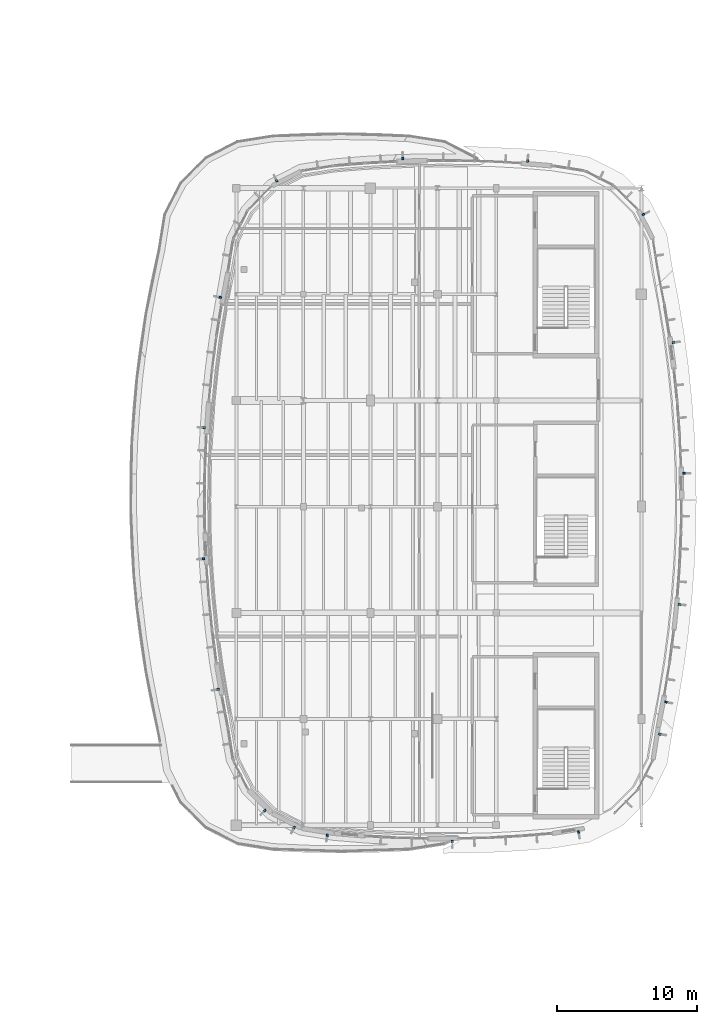
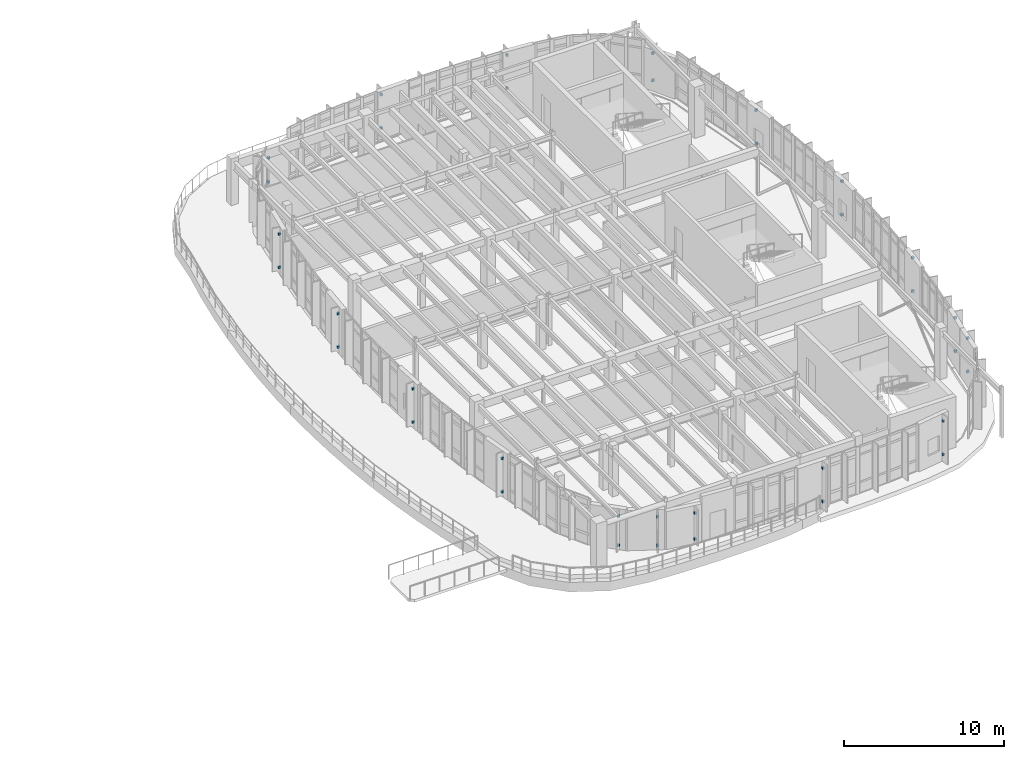
# One storey, part 90 of 105: 36 discrete accessories.
"""IFC4 building model written with IfcOpenShell, lengths in metres."""

from ifc_helpers import new_model, si_unit, direction, frame, origin, origin_2d, place, context, subcontext, project, spatial, rectangle, extrude, material, type_object, element, save


model = new_model("IFC4")

# Units and contexts
model_context = context("Model", 3, precision=1e-05, world=origin(), true_north=direction((0.0, 1.0)))
body_context = subcontext(model_context, "Body", "Model", "MODEL_VIEW")
ifc_project = project(units=[si_unit("LENGTHUNIT", "METRE"), si_unit("AREAUNIT", "SQUARE_METRE"), si_unit("VOLUMEUNIT", "CUBIC_METRE"), si_unit("PLANEANGLEUNIT", "RADIAN"), si_unit("MASSUNIT", "GRAM", prefix="KILO")], contexts=[model_context])

# Site, building, storey
site_placement = place(None, origin())
site = spatial("IfcSite", under=ifc_project, at=site_placement, CompositionType="ELEMENT")
building_placement = place(site_placement, origin())
building = spatial("IfcBuilding", under=site, at=building_placement, Name="Corveleigh Park Community Centre", CompositionType="ELEMENT")
storey_placement = place(building_placement, frame((0.0, 0.0, 8.699951171875)))
storey = spatial("IfcBuildingStorey", under=building, at=storey_placement, Name="L02", CompositionType="ELEMENT", Elevation=8.699951171875)

# Discrete accessories
ifc_material = material(Name="Stainless steel 316 balustrade", Category="steel")
discrete_accessory_type = type_object("IfcDiscreteAccessoryType", Name="ACC-BRK-STL", PredefinedType="BRACKET", material=ifc_material)
for number, where, z_axis, x_axis, name in (
    (1, (154.85693359375, 57.4208984375, 0.5), (0.0, 0.0, 1.0), (0.0, -1.0, 0.0), "Fin fixing bracket lower"),
    (2, (154.85693359375, 57.4208984375, 3.037109375), (0.0, 0.0, 1.0), (0.0, -1.0, 0.0), "Fin fixing bracket upper"),
    (3, (163.89599609375, 58.10791015625, 0.5), (0.0, 0.0, 1.0), (0.156448115315, -0.987686178507, 0.0), "Fin fixing bracket lower"),
    (4, (163.89599609375, 58.10791015625, 3.0419921875), (0.0, 0.0, 1.0), (0.156448115315, -0.987686178507, 0.0), "Fin fixing bracket upper"),
    (5, (169.716064453125, 65.116943359375, 0.5), (0.0, 0.0, 1.0), (0.987661875101, -0.156601470208, 0.0), "Fin fixing bracket lower"),
    (6, (169.716064453125, 65.116943359375, 3.0419921875), (0.0, 0.0, 1.0), (0.987661875101, -0.156601470208, 0.0), "Fin fixing bracket upper"),
    (7, (170.153076171875, 67.4140625, 0.5), (0.0, 0.0, 1.0), (0.981960439775, -0.189086474176, 0.0), "Fin fixing bracket lower"),
    (8, (170.153076171875, 67.4140625, 3.0419921875), (0.0, 0.0, 1.0), (0.981960439775, -0.189086474176, 0.0), "Fin fixing bracket upper"),
    (9, (171.110107421875, 74.39794921875, 0.5), (0.0, 0.0, 1.0), (0.994752310371, -0.102312467526, 0.0), "Fin fixing bracket lower"),
    (10, (171.110107421875, 74.39794921875, 3.0419921875), (0.0, 0.0, 1.0), (0.994752310371, -0.102312467526, 0.0), "Fin fixing bracket upper"),
    (11, (171.449951171875, 83.7890625, 0.5), (0.0, 0.0, 1.0), (0.999893275153, 0.014609527863, 0.0), "Fin fixing bracket lower"),
    (12, (171.449951171875, 83.7890625, 3.0419921875), (0.0, 0.0, 1.0), (0.999893275153, 0.014609527863, 0.0), "Fin fixing bracket upper"),
    (13, (170.68798828125, 93.155029296875, 0.5), (0.0, 0.0, 1.0), (0.991317738614, 0.131488178592, 0.0), "Fin fixing bracket lower"),
    (14, (170.68798828125, 93.155029296875, 3.0419921875), (0.0, 0.0, 1.0), (0.991317738614, 0.131488178592, 0.0), "Fin fixing bracket upper"),
    (15, (168.5400390625, 102.318115234375, 0.5), (0.0, 0.0, 1.0), (0.8909233869, 0.454153628935, 0.0), "Fin fixing bracket lower"),
    (16, (168.5400390625, 102.318115234375, 2.567138671875), (0.0, 0.0, 1.0), (0.8909233869, 0.454153628935, 0.0), "Fin fixing bracket upper"),
    (17, (160.25, 106.14501953125, 0.5), (0.0, 0.0, 1.0), (0.082371258806, 0.996601713686, 0.0), "Fin fixing bracket lower"),
    (18, (160.25, 106.14501953125, 3.01220703125), (0.0, 0.0, 1.0), (0.082371258806, 0.996601713686, 0.0), "Fin fixing bracket upper"),
    (19, (151.305908203125, 106.330078125, 0.5), (0.0, 0.0, 1.0), (-0.028005278833, 0.999607775259, 0.0), "Fin fixing bracket lower"),
    (20, (151.305908203125, 106.330078125, 3.037109375), (0.0, 0.0, 1.0), (-0.028005278833, 0.999607775259, 0.0), "Fin fixing bracket upper"),
    (21, (142.281982421875, 104.739990234375, 0.5), (0.0, 0.0, 1.0), (-0.454153628935, 0.8909233869, 0.0), "Fin fixing bracket lower"),
    (22, (142.281982421875, 104.739990234375, 2.344970703125), (0.0, 0.0, 1.0), (-0.454153628935, 0.8909233869, 0.0), "Fin fixing bracket upper"),
    (23, (138.2470703125, 96.385986328125, 0.5), (0.0, 0.0, 1.0), (-0.981960439775, 0.189086474176, 0.0), "Fin fixing bracket lower"),
    (24, (138.2470703125, 96.385986328125, 3.037109375), (0.0, 0.0, 1.0), (-0.981960439775, 0.189086474176, 0.0), "Fin fixing bracket upper"),
    (25, (137.083984375, 87.06005859375, 0.5), (0.0, 0.0, 1.0), (-0.997328381483, 0.073048610443, 0.0), "Fin fixing bracket lower"),
    (26, (137.083984375, 87.06005859375, 3.037109375), (0.0, 0.0, 1.0), (-0.997328381483, 0.073048610443, 0.0), "Fin fixing bracket upper"),
    (27, (137.050048828125, 77.6630859375, 0.5), (0.0, 0.0, 1.0), (-0.999019307224, -0.044276673248, 0.0), "Fin fixing bracket lower"),
    (28, (137.050048828125, 77.6630859375, 3.037109375), (0.0, 0.0, 1.0), (-0.999019307224, -0.044276673248, 0.0), "Fin fixing bracket upper"),
    (29, (138.0849609375, 68.323974609375, 0.5), (0.0, 0.0, 1.0), (-0.986991410962, -0.160772991165, 0.0), "Fin fixing bracket lower"),
    (30, (138.0849609375, 68.323974609375, 3.037109375), (0.0, 0.0, 1.0), (-0.986991410962, -0.160772991165, 0.0), "Fin fixing bracket upper"),
    (31, (141.43896484375, 59.64794921875, 0.5), (0.0, 0.0, 1.0), (-0.707106781187, -0.707106781187, 0.0), "Fin fixing bracket lower"),
    (32, (141.43896484375, 59.64794921875, 2.72216796875), (0.0, 0.0, 1.0), (-0.707106781187, -0.707106781187, 0.0), "Fin fixing bracket upper"),
    (33, (143.530029296875, 58.424072265625, 0.5), (0.0, 0.0, 1.0), (-0.454153628935, -0.8909233869, 0.0), "Fin fixing bracket lower"),
    (34, (143.530029296875, 58.424072265625, 2.669189453125), (0.0, 0.0, 1.0), (-0.454153628935, -0.8909233869, 0.0), "Fin fixing bracket upper"),
    (35, (145.910888671875, 57.875, 0.5), (0.0, 0.0, 1.0), (-0.156448115315, -0.987686178507, 0.0), "Fin fixing bracket lower"),
    (36, (145.910888671875, 57.875, 2.485107421875), (0.0, 0.0, 1.0), (-0.156448115315, -0.987686178507, 0.0), "Fin fixing bracket upper"),
):
    element("IfcDiscreteAccessory", number, at=place(storey_placement, frame(where, z_axis=z_axis, x_axis=x_axis)), inside=storey, type_object=discrete_accessory_type, Name=name, PredefinedType="BRACKET", context=body_context, shape_type="SweptSolid", body=[
        extrude(rectangle(XDim=0.179931640625, YDim=0.139892578125, at=origin_2d()), origin(), (0.0, 0.0, 1.0), 0.169921875),
    ])

save(model, "model.ifc")
